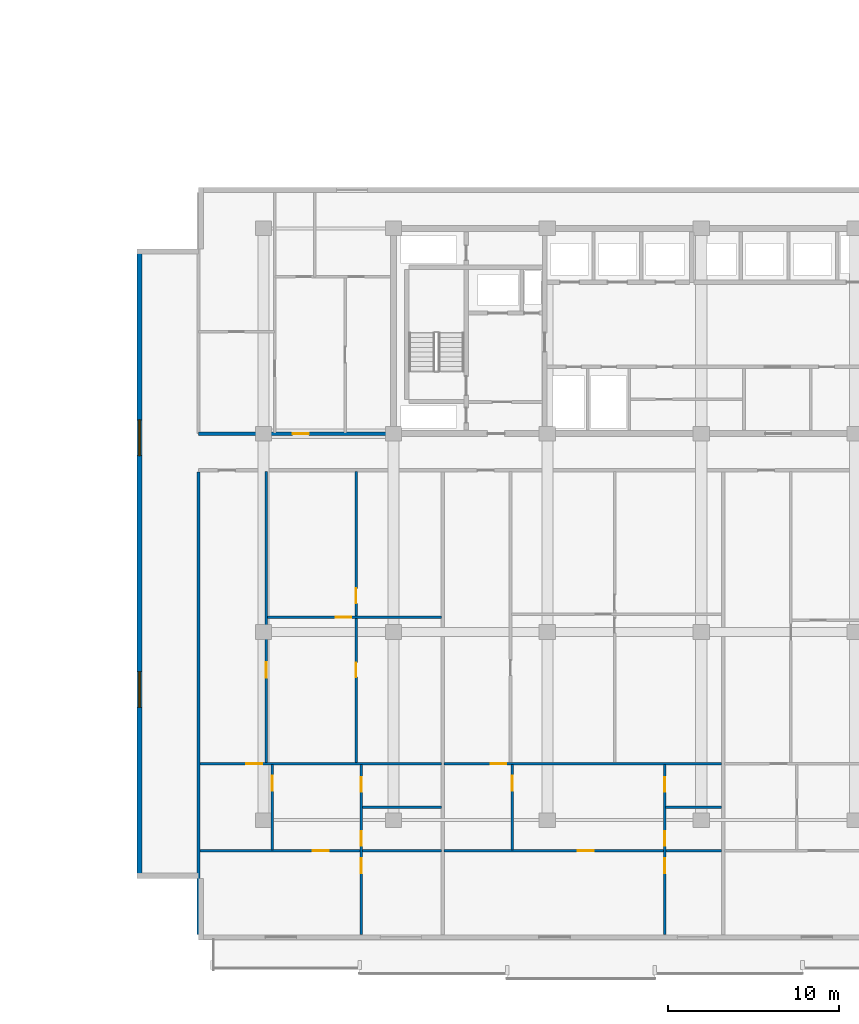
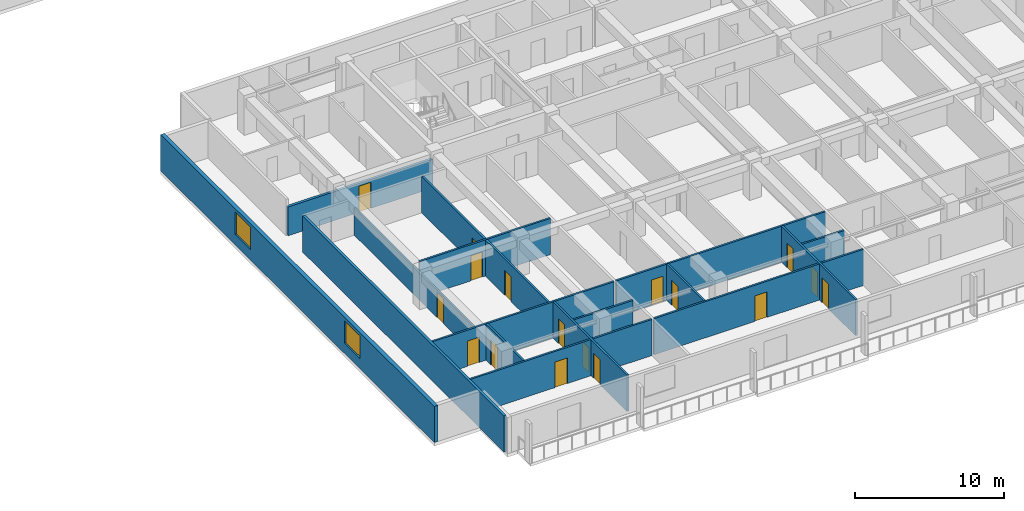
# One storey, part 4 of 23: 17 doors, 16 walls, 2 windows, 19 openings.
"""IFC4 building model written with IfcOpenShell, lengths in metres."""

from ifc_helpers import new_model, si_unit, direction, frame, frame_2d, origin, place, context, subcontext, project, spatial, rectangle, extrude, material, layer, layer_set, type_object, element, fill, save


model = new_model("IFC4")

# Units and contexts
model_context = context("Model", 3, precision=1e-05, world=origin(), true_north=direction((0.0, 1.0)))
body_context = subcontext(model_context, "Body", "Model", "MODEL_VIEW")
ifc_project = project(units=[si_unit("LENGTHUNIT", "METRE"), si_unit("AREAUNIT", "SQUARE_METRE"), si_unit("VOLUMEUNIT", "CUBIC_METRE"), si_unit("PLANEANGLEUNIT", "RADIAN"), si_unit("MASSUNIT", "GRAM", prefix="KILO")], contexts=[model_context])

# Site, building, storey
site_placement = place(None, origin())
site = spatial("IfcSite", under=ifc_project, at=site_placement, CompositionType="ELEMENT")
building_placement = place(site_placement, origin())
building = spatial("IfcBuilding", under=site, at=building_placement, Name="Korimba Cascade Residences", CompositionType="ELEMENT")
storey_placement = place(building_placement, frame((0.0, 0.0, 40.25)))
storey = spatial("IfcBuildingStorey", under=building, at=storey_placement, Name="L10", CompositionType="ELEMENT", Elevation=40.25)

# Wall, openings, windows
ifc_material_1 = material(Name="Precast concrete C40/50", Category="concrete")
ifc_layer_1 = layer(ifc_material_1, 0.300048828125)
ifc_layer_set_1 = layer_set([ifc_layer_1], Name="Precast concrete C40/50")
wall_type_1 = type_object("IfcWallType", Name="EW-STONE-300", PredefinedType="STANDARD", material=ifc_layer_set_1)
wall_1_placement = place(storey_placement, frame((67.25, 29.199951171875, 0.0), z_axis=(0.0, 0.0, 1.0), x_axis=(0.0, -1.0, 0.0)))
wall_1 = element("IfcWall", 1, at=wall_1_placement, inside=storey, type_object=wall_type_1, Name="L10 T2 Perimeter Stone Wall E09", PredefinedType="STANDARD", context=body_context, shape_type="SweptSolid", body=[
    extrude(rectangle(XDim=36.800048828125, YDim=0.300048828125, at=frame_2d((18.39990234375, 0.0))), origin(), (0.0, 0.0, 1.0), 2.969970703125),
])
opening_1_placement = place(wall_1_placement, frame((9.989990234375, 0.0, 0.85009765625)))
opening_1 = element("IfcOpeningElement", 2, at=opening_1_placement, cuts=wall_1, Name="Opening W-03", PredefinedType="OPENING", context=body_context, shape_type="SweptSolid", body=[
    extrude(rectangle(XDim=2.10009765625, YDim=1.85009765625, at=frame_2d((1.050048828125, 0.925048828125))), frame((0.0, 0.16015625, 0.0), z_axis=(0.0, -1.0, 0.0), x_axis=(1.0, 0.0, 0.0)), (0.0, 0.0, 1.0), 0.320068359375),
])
opening_2_placement = place(wall_1_placement, frame((24.7099609375, 0.0, 0.85009765625)))
opening_2 = element("IfcOpeningElement", 3, at=opening_2_placement, cuts=wall_1, Name="Opening W-03", PredefinedType="OPENING", context=body_context, shape_type="SweptSolid", body=[
    extrude(rectangle(XDim=2.10009765625, YDim=1.85009765625, at=frame_2d((1.050048828125, 0.925048828125))), frame((0.0, 0.16015625, 0.0), z_axis=(0.0, -1.0, 0.0), x_axis=(1.0, 0.0, 0.0)), (0.0, 0.0, 1.0), 0.320068359375),
])
ifc_material_2 = material(Name="Double-Glazed Aluminium Window", Category="aluminium")
window_type = type_object("IfcWindowType", Name="WIN-CRN-2100", PartitioningType="DOUBLE_PANEL_HORIZONTAL", PredefinedType="WINDOW", material=ifc_material_2)
window_1_placement = place(opening_1_placement, origin())
window_1 = element("IfcWindow", 4, at=window_1_placement, inside=storey, type_object=window_type, Name="L10 T2 End View Window 9.1", OverallHeight=1.85009765625, OverallWidth=2.10009765625, PartitioningType="DOUBLE_PANEL_HORIZONTAL", PredefinedType="WINDOW", context=body_context, shape_type="SweptSolid", body=[
    extrude(rectangle(XDim=2.10009765625, YDim=1.85009765625, at=frame_2d((1.050048828125, 0.925048828125))), frame((0.0, 0.030029296875, 0.0), z_axis=(0.0, -1.0, 0.0), x_axis=(1.0, 0.0, 0.0)), (0.0, 0.0, 1.0), 0.06005859375),
])
fill(opening_1, window_1)
window_2_placement = place(opening_2_placement, origin())
window_2 = element("IfcWindow", 5, at=window_2_placement, inside=storey, type_object=window_type, Name="L10 T2 End View Window 9.2", OverallHeight=1.85009765625, OverallWidth=2.10009765625, PartitioningType="DOUBLE_PANEL_HORIZONTAL", PredefinedType="WINDOW", context=body_context, shape_type="SweptSolid", body=[
    extrude(rectangle(XDim=2.10009765625, YDim=1.85009765625, at=frame_2d((1.050048828125, 0.925048828125))), frame((0.0, 0.030029296875, 0.0), z_axis=(0.0, -1.0, 0.0), x_axis=(1.0, 0.0, 0.0)), (0.0, 0.0, 1.0), 0.06005859375),
])
fill(opening_2, window_2)

# Wall, opening, door
ifc_layer_2 = layer(ifc_material_1, 0.199951171875)
ifc_layer_set_2 = layer_set([ifc_layer_2], Name="Precast concrete C40/50")
wall_type_2 = type_object("IfcWallType", Name="WAL-IT-200", PredefinedType="PARTITIONING", material=ifc_layer_set_2)
wall_2_placement = place(storey_placement, frame((70.699951171875, 18.39990234375, 0.0), z_axis=(0.0, 0.0, 1.0), x_axis=(1.0, 0.0, 0.0)))
wall_2 = element("IfcWall", 6, at=wall_2_placement, inside=storey, type_object=wall_type_2, Name="L10 Partition Wall WAL-L10-T2-FW-S", PredefinedType="PARTITIONING", context=body_context, shape_type="SweptSolid", body=[
    extrude(rectangle(XDim=11.25, YDim=0.199951171875, at=frame_2d((5.625, 0.0))), origin(), (0.0, 0.0, 1.0), 2.3701171875),
])
opening_3_placement = place(wall_2_placement, frame((5.50634765625, 0.0, 0.0)))
opening_3 = element("IfcOpeningElement", 7, at=opening_3_placement, cuts=wall_2, Name="Opening D-UN1", PredefinedType="OPENING", context=body_context, shape_type="SweptSolid", body=[
    extrude(rectangle(XDim=0.949951171875, YDim=2.14990234375, at=frame_2d((0.47509765625, 1.074951171875))), frame((0.0, 0.10986328125, 0.0), z_axis=(0.0, -1.0, 0.0), x_axis=(1.0, 0.0, 0.0)), (0.0, 0.0, 1.0), 0.219970703125),
])
ifc_material_3 = material(Name="Fire-Rated Hardwood Apartment Entrance Door", Category="wood")
door_type_1 = type_object("IfcDoorType", Name="DR-FD60-950", OperationType="NOTDEFINED", PredefinedType="DOOR", material=ifc_material_3)
door_1_placement = place(opening_3_placement, origin())
door_1 = element("IfcDoor", 8, at=door_1_placement, inside=storey, type_object=door_type_1, Name="L10-T2-FW Entrance Door", OperationType="SINGLE_SWING_LEFT", OverallHeight=2.14990234375, OverallWidth=0.949951171875, PredefinedType="DOOR", context=body_context, shape_type="SweptSolid", body=[
    extrude(rectangle(XDim=0.949951171875, YDim=2.14990234375, at=frame_2d((0.47509765625, 1.074951171875))), frame((0.0, 0.02490234375, 0.0), z_axis=(0.0, -1.0, 0.0), x_axis=(1.0, 0.0, 0.0)), (0.0, 0.0, 1.0), 0.050048828125),
])
fill(opening_3, door_1)

# Wall
wall_3_placement = place(storey_placement, frame((70.699951171875, -10.89990234375, 0.0), z_axis=(0.0, 0.0, 1.0), x_axis=(0.0, 1.0, 0.0)))
element("IfcWall", 9, at=wall_3_placement, inside=storey, type_object=wall_type_2, Name="L10 Partition Wall WAL-L10-T2-BNDWL", PredefinedType="PARTITIONING", context=body_context, shape_type="SweptSolid", body=[
    extrude(rectangle(XDim=27.06982421875, YDim=0.199951171875, at=frame_2d((13.534912109375, 0.0))), origin(), (0.0, 0.0, 1.0), 2.969970703125),
])

# Wall, openings, doors
ifc_material_4 = material(Name="Insulated Acoustic Stud Partition", Category="gypsum")
ifc_layer_3 = layer(ifc_material_4, 0.14990234375)
ifc_layer_set_3 = layer_set([ifc_layer_3], Name="Insulated Acoustic Stud Partition")
wall_type_3 = type_object("IfcWallType", Name="WAL-PART-150", PredefinedType="PARTITIONING", material=ifc_layer_set_3)
wall_4_placement = place(storey_placement, frame((79.9130859375, -0.860107421875, 0.0), z_axis=(0.0, 0.0, 1.0), x_axis=(0.0, 1.0, 0.0)))
wall_4 = element("IfcWall", 10, at=wall_4_placement, inside=storey, type_object=wall_type_3, Name="L10 Partition Wall WAL-L10-T2-U01-FMV", PredefinedType="PARTITIONING", context=body_context, shape_type="SweptSolid", body=[
    extrude(rectangle(XDim=17.050048828125, YDim=0.14990234375, at=frame_2d((8.52490234375, 0.0))), origin(), (0.0, 0.0, 1.0), 2.969970703125),
])
opening_4_placement = place(wall_4_placement, frame((5.026123046875, 0.0, 0.0)))
opening_4 = element("IfcOpeningElement", 11, at=opening_4_placement, cuts=wall_4, Name="Opening D-BT1", PredefinedType="OPENING", context=body_context, shape_type="SweptSolid", body=[
    extrude(rectangle(XDim=0.840087890625, YDim=2.0400390625, at=frame_2d((0.419921875, 1.02001953125))), frame((0.0, 0.0849609375, 0.0), z_axis=(0.0, -1.0, 0.0), x_axis=(1.0, 0.0, 0.0)), (0.0, 0.0, 1.0), 0.169921875),
])
opening_5_placement = place(wall_4_placement, frame((9.338623046875, 0.0, 0.0)))
opening_5 = element("IfcOpeningElement", 12, at=opening_5_placement, cuts=wall_4, Name="Opening D-IN2", PredefinedType="OPENING", context=body_context, shape_type="SweptSolid", body=[
    extrude(rectangle(XDim=0.8798828125, YDim=2.06005859375, at=frame_2d((0.43994140625, 1.030029296875))), frame((0.0, 0.0849609375, 0.0), z_axis=(0.0, -1.0, 0.0), x_axis=(1.0, 0.0, 0.0)), (0.0, 0.0, 1.0), 0.169921875),
])
ifc_material_5 = material(Name="Moisture-Resistant Bathroom Timber Door", Category="wood")
door_type_2 = type_object("IfcDoorType", Name="DR-INT-850", OperationType="NOTDEFINED", PredefinedType="DOOR", material=ifc_material_5)
door_2_placement = place(opening_4_placement, origin())
door_2 = element("IfcDoor", 13, at=door_2_placement, inside=storey, type_object=door_type_2, Name="L10-T2-U01 Wardrobe Door", OperationType="SINGLE_SWING_RIGHT", OverallHeight=2.0400390625, OverallWidth=0.840087890625, PredefinedType="DOOR", context=body_context, shape_type="SweptSolid", body=[
    extrude(rectangle(XDim=0.840087890625, YDim=2.0400390625, at=frame_2d((0.419921875, 1.02001953125))), frame((0.0, 0.02490234375, 0.0), z_axis=(0.0, -1.0, 0.0), x_axis=(1.0, 0.0, 0.0)), (0.0, 0.0, 1.0), 0.050048828125),
])
fill(opening_4, door_2)
ifc_material_6 = material(Name="Acoustic Timber Bedroom Door", Category="wood")
door_type_3 = type_object("IfcDoorType", Name="DR-INT-880", OperationType="NOTDEFINED", PredefinedType="DOOR", material=ifc_material_6)
door_3_placement = place(opening_5_placement, origin())
door_3 = element("IfcDoor", 14, at=door_3_placement, inside=storey, type_object=door_type_3, Name="L10-T2-U01 Music Lounge Door", OperationType="SINGLE_SWING_LEFT", OverallHeight=2.06005859375, OverallWidth=0.8798828125, PredefinedType="DOOR", context=body_context, shape_type="SweptSolid", body=[
    extrude(rectangle(XDim=0.8798828125, YDim=2.06005859375, at=frame_2d((0.43994140625, 1.030029296875))), frame((0.0, 0.02490234375, 0.0), z_axis=(0.0, -1.0, 0.0), x_axis=(1.0, 0.0, 0.0)), (0.0, 0.0, 1.0), 0.050048828125),
])
fill(opening_5, door_3)

# Wall, opening, door
wall_5_placement = place(storey_placement, frame((74.72998046875, 7.6650390625, 0.0), z_axis=(0.0, 0.0, 1.0), x_axis=(1.0, 0.0, 0.0)))
wall_5 = element("IfcWall", 15, at=wall_5_placement, inside=storey, type_object=wall_type_3, Name="L10 Partition Wall WAL-L10-T2-U01-FMH", PredefinedType="PARTITIONING", context=body_context, shape_type="SweptSolid", body=[
    extrude(rectangle(XDim=10.166015625, YDim=0.14990234375, at=frame_2d((5.0830078125, 0.0))), origin(), (0.0, 0.0, 1.0), 2.969970703125),
])
opening_6_placement = place(wall_5_placement, frame((4.00830078125, 0.0, 0.0)))
opening_6 = element("IfcOpeningElement", 16, at=opening_6_placement, cuts=wall_5, Name="Opening D-IN2", PredefinedType="OPENING", context=body_context, shape_type="SweptSolid", body=[
    extrude(rectangle(XDim=0.8798828125, YDim=2.06005859375, at=frame_2d((0.43994140625, 1.030029296875))), frame((0.0, 0.0849609375, 0.0), z_axis=(0.0, -1.0, 0.0), x_axis=(1.0, 0.0, 0.0)), (0.0, 0.0, 1.0), 0.169921875),
])
door_4_placement = place(opening_6_placement, origin())
door_4 = element("IfcDoor", 17, at=door_4_placement, inside=storey, type_object=door_type_3, Name="L10-T2-U01 Library Salon Door", OperationType="SINGLE_SWING_RIGHT", OverallHeight=2.06005859375, OverallWidth=0.8798828125, PredefinedType="DOOR", context=body_context, shape_type="SweptSolid", body=[
    extrude(rectangle(XDim=0.8798828125, YDim=2.06005859375, at=frame_2d((0.43994140625, 1.030029296875))), frame((0.0, 0.02490234375, 0.0), z_axis=(0.0, -1.0, 0.0), x_axis=(1.0, 0.0, 0.0)), (0.0, 0.0, 1.0), 0.050048828125),
])
fill(opening_6, door_4)

wall_6_placement = place(storey_placement, frame((74.669921875, -0.860107421875, 0.0), z_axis=(0.0, 0.0, 1.0), x_axis=(0.0, 1.0, 0.0)))
wall_6 = element("IfcWall", 18, at=wall_6_placement, inside=storey, type_object=wall_type_3, Name="L10 Partition Wall WAL-L10-T2-U01-FV", PredefinedType="PARTITIONING", context=body_context, shape_type="SweptSolid", body=[
    extrude(rectangle(XDim=17.050048828125, YDim=0.14990234375, at=frame_2d((8.52490234375, 0.0))), origin(), (0.0, 0.0, 1.0), 2.219970703125),
])
opening_7_placement = place(wall_6_placement, frame((4.999755859375, 0.0, 0.0)))
opening_7 = element("IfcOpeningElement", 19, at=opening_7_placement, cuts=wall_6, Name="Opening D-IN2", PredefinedType="OPENING", context=body_context, shape_type="SweptSolid", body=[
    extrude(rectangle(XDim=0.8798828125, YDim=2.06005859375, at=frame_2d((0.43994140625, 1.030029296875))), frame((0.0, 0.0849609375, 0.0), z_axis=(0.0, -1.0, 0.0), x_axis=(1.0, 0.0, 0.0)), (0.0, 0.0, 1.0), 0.169921875),
])
door_5_placement = place(opening_7_placement, origin())
door_5 = element("IfcDoor", 20, at=door_5_placement, inside=storey, type_object=door_type_3, Name="L10-T2-U01 Media Lounge Door", OperationType="SINGLE_SWING_LEFT", OverallHeight=2.06005859375, OverallWidth=0.8798828125, PredefinedType="DOOR", context=body_context, shape_type="SweptSolid", body=[
    extrude(rectangle(XDim=0.8798828125, YDim=2.06005859375, at=frame_2d((0.43994140625, 1.030029296875))), frame((0.0, 0.02490234375, 0.0), z_axis=(0.0, -1.0, 0.0), x_axis=(1.0, 0.0, 0.0)), (0.0, 0.0, 1.0), 0.050048828125),
])
fill(opening_7, door_5)

wall_7_placement = place(storey_placement, frame((75.02001953125, -5.93994140625, 0.0), z_axis=(0.0, 0.0, 1.0), x_axis=(0.0, 1.0, 0.0)))
wall_7 = element("IfcWall", 21, at=wall_7_placement, inside=storey, type_object=wall_type_3, Name="L10 Partition Wall WAL-L10-T2-U01-VDIN", PredefinedType="PARTITIONING", context=body_context, shape_type="SweptSolid", body=[
    extrude(rectangle(XDim=5.0, YDim=0.14990234375, at=frame_2d((2.5, 0.0))), origin(), (0.0, 0.0, 1.0), 2.969970703125),
])
opening_8_placement = place(wall_7_placement, frame((3.454345703125, 0.0, 0.0)))
opening_8 = element("IfcOpeningElement", 22, at=opening_8_placement, cuts=wall_7, Name="Opening D-IN2", PredefinedType="OPENING", context=body_context, shape_type="SweptSolid", body=[
    extrude(rectangle(XDim=0.8798828125, YDim=2.06005859375, at=frame_2d((0.43994140625, 1.030029296875))), frame((0.0, 0.0849609375, 0.0), z_axis=(0.0, -1.0, 0.0), x_axis=(1.0, 0.0, 0.0)), (0.0, 0.0, 1.0), 0.169921875),
])
door_6_placement = place(opening_8_placement, origin())
door_6 = element("IfcDoor", 23, at=door_6_placement, inside=storey, type_object=door_type_3, Name="L10-T2-U01 Dining Room Door", OperationType="SINGLE_SWING_RIGHT", OverallHeight=2.06005859375, OverallWidth=0.8798828125, PredefinedType="DOOR", context=body_context, shape_type="SweptSolid", body=[
    extrude(rectangle(XDim=0.8798828125, YDim=2.06005859375, at=frame_2d((0.43994140625, 1.030029296875))), frame((0.0, 0.02490234375, 0.0), z_axis=(0.0, -1.0, 0.0), x_axis=(1.0, 0.0, 0.0)), (0.0, 0.0, 1.0), 0.050048828125),
])
fill(opening_8, door_6)

# Wall
wall_8_placement = place(storey_placement, frame((80.280029296875, -3.43994140625, 0.0), z_axis=(0.0, 0.0, 1.0), x_axis=(1.0, 0.0, 0.0)))
element("IfcWall", 24, at=wall_8_placement, inside=storey, type_object=wall_type_3, Name="L10 Partition Wall WAL-L10-T2-U01-BLDIV", PredefinedType="PARTITIONING", context=body_context, shape_type="SweptSolid", body=[
    extrude(rectangle(XDim=4.615966796875, YDim=0.14990234375, at=frame_2d((2.30810546875, 0.0))), origin(), (0.0, 0.0, 1.0), 2.969970703125),
])

# Wall, openings, doors
wall_9_placement = place(storey_placement, frame((80.219970703125, -10.89990234375, 0.0), z_axis=(0.0, 0.0, 1.0), x_axis=(0.0, 1.0, 0.0)))
wall_9 = element("IfcWall", 25, at=wall_9_placement, inside=storey, type_object=wall_type_3, Name="L10 Partition Wall WAL-L10-T2-U01-V1", PredefinedType="PARTITIONING", context=body_context, shape_type="SweptSolid", body=[
    extrude(rectangle(XDim=9.9599609375, YDim=0.14990234375, at=frame_2d((4.97998046875, 0.0))), origin(), (0.0, 0.0, 1.0), 2.969970703125),
])
opening_9_placement = place(wall_9_placement, frame((5.199951171875, 0.0, 0.0)))
opening_9 = element("IfcOpeningElement", 26, at=opening_9_placement, cuts=wall_9, Name="Opening D-BT1", PredefinedType="OPENING", context=body_context, shape_type="SweptSolid", body=[
    extrude(rectangle(XDim=0.840087890625, YDim=2.0400390625, at=frame_2d((0.419921875, 1.02001953125))), frame((0.0, 0.0849609375, 0.0), z_axis=(0.0, -1.0, 0.0), x_axis=(1.0, 0.0, 0.0)), (0.0, 0.0, 1.0), 0.169921875),
])
opening_10_placement = place(wall_9_placement, frame((8.359130859375, 0.0, 0.0)))
opening_10 = element("IfcOpeningElement", 27, at=opening_10_placement, cuts=wall_9, Name="Opening D-BT1", PredefinedType="OPENING", context=body_context, shape_type="SweptSolid", body=[
    extrude(rectangle(XDim=0.840087890625, YDim=2.0400390625, at=frame_2d((0.419921875, 1.02001953125))), frame((0.0, 0.0849609375, 0.0), z_axis=(0.0, -1.0, 0.0), x_axis=(1.0, 0.0, 0.0)), (0.0, 0.0, 1.0), 0.169921875),
])
opening_11_placement = place(wall_9_placement, frame((3.60009765625, 0.0, 0.0)))
opening_11 = element("IfcOpeningElement", 28, at=opening_11_placement, cuts=wall_9, Name="Opening D-IN2", PredefinedType="OPENING", context=body_context, shape_type="SweptSolid", body=[
    extrude(rectangle(XDim=0.8798828125, YDim=2.06005859375, at=frame_2d((0.43994140625, 1.030029296875))), frame((0.0, 0.0849609375, 0.0), z_axis=(0.0, -1.0, 0.0), x_axis=(1.0, 0.0, 0.0)), (0.0, 0.0, 1.0), 0.169921875),
])
door_7_placement = place(opening_9_placement, origin())
door_7 = element("IfcDoor", 29, at=door_7_placement, inside=storey, type_object=door_type_2, Name="L10-T2-U01 Bathroom Door", OperationType="SINGLE_SWING_LEFT", OverallHeight=2.0400390625, OverallWidth=0.840087890625, PredefinedType="DOOR", context=body_context, shape_type="SweptSolid", body=[
    extrude(rectangle(XDim=0.840087890625, YDim=2.0400390625, at=frame_2d((0.419921875, 1.02001953125))), frame((0.0, 0.02490234375, 0.0), z_axis=(0.0, -1.0, 0.0), x_axis=(1.0, 0.0, 0.0)), (0.0, 0.0, 1.0), 0.050048828125),
])
fill(opening_9, door_7)
door_8_placement = place(opening_10_placement, origin())
door_8 = element("IfcDoor", 30, at=door_8_placement, inside=storey, type_object=door_type_2, Name="L10-T2-U01 Laundry Door", OperationType="SINGLE_SWING_RIGHT", OverallHeight=2.0400390625, OverallWidth=0.840087890625, PredefinedType="DOOR", context=body_context, shape_type="SweptSolid", body=[
    extrude(rectangle(XDim=0.840087890625, YDim=2.0400390625, at=frame_2d((0.419921875, 1.02001953125))), frame((0.0, 0.02490234375, 0.0), z_axis=(0.0, -1.0, 0.0), x_axis=(1.0, 0.0, 0.0)), (0.0, 0.0, 1.0), 0.050048828125),
])
fill(opening_10, door_8)
door_9_placement = place(opening_11_placement, origin())
door_9 = element("IfcDoor", 31, at=door_9_placement, inside=storey, type_object=door_type_3, Name="L10-T2-U01 Bedroom 1 Door", OperationType="SINGLE_SWING_LEFT", OverallHeight=2.06005859375, OverallWidth=0.8798828125, PredefinedType="DOOR", context=body_context, shape_type="SweptSolid", body=[
    extrude(rectangle(XDim=0.8798828125, YDim=2.06005859375, at=frame_2d((0.43994140625, 1.030029296875))), frame((0.0, 0.02490234375, 0.0), z_axis=(0.0, -1.0, 0.0), x_axis=(1.0, 0.0, 0.0)), (0.0, 0.0, 1.0), 0.050048828125),
])
fill(opening_11, door_9)

# Wall, opening, door
wall_10_placement = place(storey_placement, frame((70.780029296875, -0.89990234375, 0.0), z_axis=(0.0, 0.0, 1.0), x_axis=(1.0, 0.0, 0.0)))
wall_10 = element("IfcWall", 32, at=wall_10_placement, inside=storey, type_object=wall_type_3, Name="L10 Partition Wall WAL-L10-T2-U01-MW", PredefinedType="PARTITIONING", context=body_context, shape_type="SweptSolid", body=[
    extrude(rectangle(XDim=14.115966796875, YDim=0.14990234375, at=frame_2d((7.05810546875, 0.0))), origin(), (0.0, 0.0, 1.0), 2.969970703125),
])
opening_12_placement = place(wall_10_placement, frame((2.719970703125, 0.0, 0.0)))
opening_12 = element("IfcOpeningElement", 33, at=opening_12_placement, cuts=wall_10, Name="Opening D-IN1", PredefinedType="OPENING", context=body_context, shape_type="SweptSolid", body=[
    extrude(rectangle(XDim=0.919921875, YDim=2.080078125, at=frame_2d((0.4599609375, 1.0400390625))), frame((0.0, 0.0849609375, 0.0), z_axis=(0.0, -1.0, 0.0), x_axis=(1.0, 0.0, 0.0)), (0.0, 0.0, 1.0), 0.169921875),
])
ifc_material_7 = material(Name="Acoustic Timber Living Door", Category="wood")
door_type_4 = type_object("IfcDoorType", Name="DR-INT-920", OperationType="NOTDEFINED", PredefinedType="DOOR", material=ifc_material_7)
door_10_placement = place(opening_12_placement, origin())
door_10 = element("IfcDoor", 34, at=door_10_placement, inside=storey, type_object=door_type_4, Name="L10-T2-U01 Kitchen Archway Door", OperationType="SINGLE_SWING_RIGHT", OverallHeight=2.080078125, OverallWidth=0.919921875, PredefinedType="DOOR", context=body_context, shape_type="SweptSolid", body=[
    extrude(rectangle(XDim=0.919921875, YDim=2.080078125, at=frame_2d((0.4599609375, 1.0400390625))), frame((0.0, 0.02490234375, 0.0), z_axis=(0.0, -1.0, 0.0), x_axis=(1.0, 0.0, 0.0)), (0.0, 0.0, 1.0), 0.050048828125),
])
fill(opening_12, door_10)

wall_11_placement = place(storey_placement, frame((70.780029296875, -6.0, 0.0), z_axis=(0.0, 0.0, 1.0), x_axis=(1.0, 0.0, 0.0)))
wall_11 = element("IfcWall", 35, at=wall_11_placement, inside=storey, type_object=wall_type_3, Name="L10 Partition Wall WAL-L10-T2-U01-HZ", PredefinedType="PARTITIONING", context=body_context, shape_type="SweptSolid", body=[
    extrude(rectangle(XDim=14.115966796875, YDim=0.14990234375, at=frame_2d((7.05810546875, 0.0))), origin(), (0.0, 0.0, 1.0), 2.969970703125),
])
opening_13_placement = place(wall_11_placement, frame((6.587890625, 0.0, 0.0)))
opening_13 = element("IfcOpeningElement", 36, at=opening_13_placement, cuts=wall_11, Name="Opening D-IN0", PredefinedType="OPENING", context=body_context, shape_type="SweptSolid", body=[
    extrude(rectangle(XDim=0.93994140625, YDim=2.10009765625, at=frame_2d((0.469970703125, 1.050048828125))), frame((0.0, 0.0849609375, 0.0), z_axis=(0.0, -1.0, 0.0), x_axis=(1.0, 0.0, 0.0)), (0.0, 0.0, 1.0), 0.169921875),
])
ifc_material_8 = material(Name="Acoustic Timber Living Archway Door", Category="wood")
door_type_5 = type_object("IfcDoorType", Name="DR-INT-950", OperationType="NOTDEFINED", PredefinedType="DOOR", material=ifc_material_8)
door_11_placement = place(opening_13_placement, origin())
door_11 = element("IfcDoor", 37, at=door_11_placement, inside=storey, type_object=door_type_5, Name="L10-T2-U01 Living Archway Door", OperationType="SINGLE_SWING_LEFT", OverallHeight=2.10009765625, OverallWidth=0.93994140625, PredefinedType="DOOR", context=body_context, shape_type="SweptSolid", body=[
    extrude(rectangle(XDim=0.93994140625, YDim=2.10009765625, at=frame_2d((0.469970703125, 1.050048828125))), frame((0.0, 0.02490234375, 0.0), z_axis=(0.0, -1.0, 0.0), x_axis=(1.0, 0.0, 0.0)), (0.0, 0.0, 1.0), 0.050048828125),
])
fill(opening_13, door_11)

wall_12_placement = place(storey_placement, frame((89.0458984375, -5.93994140625, 0.0), z_axis=(0.0, 0.0, 1.0), x_axis=(0.0, 1.0, 0.0)))
wall_12 = element("IfcWall", 38, at=wall_12_placement, inside=storey, type_object=wall_type_3, Name="L10 Partition Wall WAL-L10-T2-U02-VDIN", PredefinedType="PARTITIONING", context=body_context, shape_type="SweptSolid", body=[
    extrude(rectangle(XDim=5.0, YDim=0.14990234375, at=frame_2d((2.5, 0.0))), origin(), (0.0, 0.0, 1.0), 2.969970703125),
])
opening_14_placement = place(wall_12_placement, frame((3.454345703125, 0.0, 0.0)))
opening_14 = element("IfcOpeningElement", 39, at=opening_14_placement, cuts=wall_12, Name="Opening D-IN2", PredefinedType="OPENING", context=body_context, shape_type="SweptSolid", body=[
    extrude(rectangle(XDim=0.8798828125, YDim=2.06005859375, at=frame_2d((0.43994140625, 1.030029296875))), frame((0.0, 0.0849609375, 0.0), z_axis=(0.0, -1.0, 0.0), x_axis=(1.0, 0.0, 0.0)), (0.0, 0.0, 1.0), 0.169921875),
])
door_12_placement = place(opening_14_placement, origin())
door_12 = element("IfcDoor", 40, at=door_12_placement, inside=storey, type_object=door_type_3, Name="L10-T2-U02 Dining Room Door", OperationType="SINGLE_SWING_RIGHT", OverallHeight=2.06005859375, OverallWidth=0.8798828125, PredefinedType="DOOR", context=body_context, shape_type="SweptSolid", body=[
    extrude(rectangle(XDim=0.8798828125, YDim=2.06005859375, at=frame_2d((0.43994140625, 1.030029296875))), frame((0.0, 0.02490234375, 0.0), z_axis=(0.0, -1.0, 0.0), x_axis=(1.0, 0.0, 0.0)), (0.0, 0.0, 1.0), 0.050048828125),
])
fill(opening_14, door_12)

# Wall
wall_13_placement = place(storey_placement, frame((98.014892578125, -3.43994140625, 0.0), z_axis=(0.0, 0.0, 1.0), x_axis=(1.0, 0.0, 0.0)))
element("IfcWall", 41, at=wall_13_placement, inside=storey, type_object=wall_type_3, Name="L10 Partition Wall WAL-L10-T2-U02-BLDIV", PredefinedType="PARTITIONING", context=body_context, shape_type="SweptSolid", body=[
    extrude(rectangle(XDim=3.280029296875, YDim=0.14990234375, at=frame_2d((1.64013671875, 0.0))), origin(), (0.0, 0.0, 1.0), 2.969970703125),
])

# Wall, openings, doors
wall_14_placement = place(storey_placement, frame((97.955078125, -10.89990234375, 0.0), z_axis=(0.0, 0.0, 1.0), x_axis=(0.0, 1.0, 0.0)))
wall_14 = element("IfcWall", 42, at=wall_14_placement, inside=storey, type_object=wall_type_3, Name="L10 Partition Wall WAL-L10-T2-U02-V1", PredefinedType="PARTITIONING", context=body_context, shape_type="SweptSolid", body=[
    extrude(rectangle(XDim=9.9599609375, YDim=0.14990234375, at=frame_2d((4.97998046875, 0.0))), origin(), (0.0, 0.0, 1.0), 2.969970703125),
])
opening_15_placement = place(wall_14_placement, frame((5.199951171875, 0.0, 0.0)))
opening_15 = element("IfcOpeningElement", 43, at=opening_15_placement, cuts=wall_14, Name="Opening D-BT1", PredefinedType="OPENING", context=body_context, shape_type="SweptSolid", body=[
    extrude(rectangle(XDim=0.840087890625, YDim=2.0400390625, at=frame_2d((0.419921875, 1.02001953125))), frame((0.0, 0.0849609375, 0.0), z_axis=(0.0, -1.0, 0.0), x_axis=(1.0, 0.0, 0.0)), (0.0, 0.0, 1.0), 0.169921875),
])
opening_16_placement = place(wall_14_placement, frame((8.359130859375, 0.0, 0.0)))
opening_16 = element("IfcOpeningElement", 44, at=opening_16_placement, cuts=wall_14, Name="Opening D-BT1", PredefinedType="OPENING", context=body_context, shape_type="SweptSolid", body=[
    extrude(rectangle(XDim=0.840087890625, YDim=2.0400390625, at=frame_2d((0.419921875, 1.02001953125))), frame((0.0, 0.0849609375, 0.0), z_axis=(0.0, -1.0, 0.0), x_axis=(1.0, 0.0, 0.0)), (0.0, 0.0, 1.0), 0.169921875),
])
opening_17_placement = place(wall_14_placement, frame((3.60009765625, 0.0, 0.0)))
opening_17 = element("IfcOpeningElement", 45, at=opening_17_placement, cuts=wall_14, Name="Opening D-IN2", PredefinedType="OPENING", context=body_context, shape_type="SweptSolid", body=[
    extrude(rectangle(XDim=0.8798828125, YDim=2.06005859375, at=frame_2d((0.43994140625, 1.030029296875))), frame((0.0, 0.0849609375, 0.0), z_axis=(0.0, -1.0, 0.0), x_axis=(1.0, 0.0, 0.0)), (0.0, 0.0, 1.0), 0.169921875),
])
door_13_placement = place(opening_15_placement, origin())
door_13 = element("IfcDoor", 46, at=door_13_placement, inside=storey, type_object=door_type_2, Name="L10-T2-U02 Bathroom Door", OperationType="SINGLE_SWING_LEFT", OverallHeight=2.0400390625, OverallWidth=0.840087890625, PredefinedType="DOOR", context=body_context, shape_type="SweptSolid", body=[
    extrude(rectangle(XDim=0.840087890625, YDim=2.0400390625, at=frame_2d((0.419921875, 1.02001953125))), frame((0.0, 0.02490234375, 0.0), z_axis=(0.0, -1.0, 0.0), x_axis=(1.0, 0.0, 0.0)), (0.0, 0.0, 1.0), 0.050048828125),
])
fill(opening_15, door_13)
door_14_placement = place(opening_16_placement, origin())
door_14 = element("IfcDoor", 47, at=door_14_placement, inside=storey, type_object=door_type_2, Name="L10-T2-U02 Laundry Door", OperationType="SINGLE_SWING_RIGHT", OverallHeight=2.0400390625, OverallWidth=0.840087890625, PredefinedType="DOOR", context=body_context, shape_type="SweptSolid", body=[
    extrude(rectangle(XDim=0.840087890625, YDim=2.0400390625, at=frame_2d((0.419921875, 1.02001953125))), frame((0.0, 0.02490234375, 0.0), z_axis=(0.0, -1.0, 0.0), x_axis=(1.0, 0.0, 0.0)), (0.0, 0.0, 1.0), 0.050048828125),
])
fill(opening_16, door_14)
door_15_placement = place(opening_17_placement, origin())
door_15 = element("IfcDoor", 48, at=door_15_placement, inside=storey, type_object=door_type_3, Name="L10-T2-U02 Bedroom 1 Door", OperationType="SINGLE_SWING_LEFT", OverallHeight=2.06005859375, OverallWidth=0.8798828125, PredefinedType="DOOR", context=body_context, shape_type="SweptSolid", body=[
    extrude(rectangle(XDim=0.8798828125, YDim=2.06005859375, at=frame_2d((0.43994140625, 1.030029296875))), frame((0.0, 0.02490234375, 0.0), z_axis=(0.0, -1.0, 0.0), x_axis=(1.0, 0.0, 0.0)), (0.0, 0.0, 1.0), 0.050048828125),
])
fill(opening_17, door_15)

# Wall, opening, door
wall_15_placement = place(storey_placement, frame((85.055908203125, -0.89990234375, 0.0), z_axis=(0.0, 0.0, 1.0), x_axis=(1.0, 0.0, 0.0)))
wall_15 = element("IfcWall", 49, at=wall_15_placement, inside=storey, type_object=wall_type_3, Name="L10 Partition Wall WAL-L10-T2-U02-MW", PredefinedType="PARTITIONING", context=body_context, shape_type="SweptSolid", body=[
    extrude(rectangle(XDim=16.239013671875, YDim=0.14990234375, at=frame_2d((8.11962890625, 0.0))), origin(), (0.0, 0.0, 1.0), 2.969970703125),
])
opening_18_placement = place(wall_15_placement, frame((2.719970703125, 0.0, 0.0)))
opening_18 = element("IfcOpeningElement", 50, at=opening_18_placement, cuts=wall_15, Name="Opening D-IN1", PredefinedType="OPENING", context=body_context, shape_type="SweptSolid", body=[
    extrude(rectangle(XDim=0.919921875, YDim=2.080078125, at=frame_2d((0.4599609375, 1.0400390625))), frame((0.0, 0.0849609375, 0.0), z_axis=(0.0, -1.0, 0.0), x_axis=(1.0, 0.0, 0.0)), (0.0, 0.0, 1.0), 0.169921875),
])
door_16_placement = place(opening_18_placement, origin())
door_16 = element("IfcDoor", 51, at=door_16_placement, inside=storey, type_object=door_type_4, Name="L10-T2-U02 Kitchen Archway Door", OperationType="SINGLE_SWING_RIGHT", OverallHeight=2.080078125, OverallWidth=0.919921875, PredefinedType="DOOR", context=body_context, shape_type="SweptSolid", body=[
    extrude(rectangle(XDim=0.919921875, YDim=2.080078125, at=frame_2d((0.4599609375, 1.0400390625))), frame((0.0, 0.02490234375, 0.0), z_axis=(0.0, -1.0, 0.0), x_axis=(1.0, 0.0, 0.0)), (0.0, 0.0, 1.0), 0.050048828125),
])
fill(opening_18, door_16)

wall_16_placement = place(storey_placement, frame((85.055908203125, -6.0, 0.0), z_axis=(0.0, 0.0, 1.0), x_axis=(1.0, 0.0, 0.0)))
wall_16 = element("IfcWall", 52, at=wall_16_placement, inside=storey, type_object=wall_type_3, Name="L10 Partition Wall WAL-L10-T2-U02-HZ", PredefinedType="PARTITIONING", context=body_context, shape_type="SweptSolid", body=[
    extrude(rectangle(XDim=16.239013671875, YDim=0.14990234375, at=frame_2d((8.11962890625, 0.0))), origin(), (0.0, 0.0, 1.0), 2.969970703125),
])
opening_19_placement = place(wall_16_placement, frame((7.81298828125, 0.0, 0.0)))
opening_19 = element("IfcOpeningElement", 53, at=opening_19_placement, cuts=wall_16, Name="Opening D-IN0", PredefinedType="OPENING", context=body_context, shape_type="SweptSolid", body=[
    extrude(rectangle(XDim=0.93994140625, YDim=2.10009765625, at=frame_2d((0.469970703125, 1.050048828125))), frame((0.0, 0.0849609375, 0.0), z_axis=(0.0, -1.0, 0.0), x_axis=(1.0, 0.0, 0.0)), (0.0, 0.0, 1.0), 0.169921875),
])
door_17_placement = place(opening_19_placement, origin())
door_17 = element("IfcDoor", 54, at=door_17_placement, inside=storey, type_object=door_type_5, Name="L10-T2-U02 Living Archway Door", OperationType="SINGLE_SWING_LEFT", OverallHeight=2.10009765625, OverallWidth=0.93994140625, PredefinedType="DOOR", context=body_context, shape_type="SweptSolid", body=[
    extrude(rectangle(XDim=0.93994140625, YDim=2.10009765625, at=frame_2d((0.469970703125, 1.050048828125))), frame((0.0, 0.02490234375, 0.0), z_axis=(0.0, -1.0, 0.0), x_axis=(1.0, 0.0, 0.0)), (0.0, 0.0, 1.0), 0.050048828125),
])
fill(opening_19, door_17)

save(model, "model.ifc")
